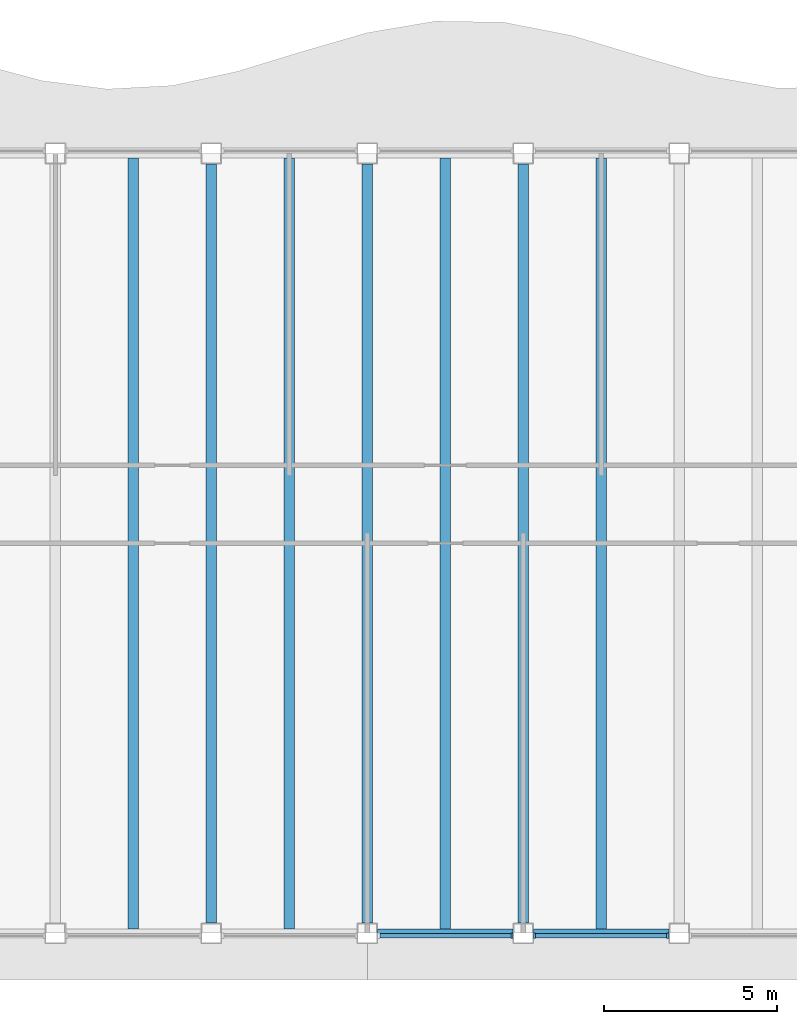
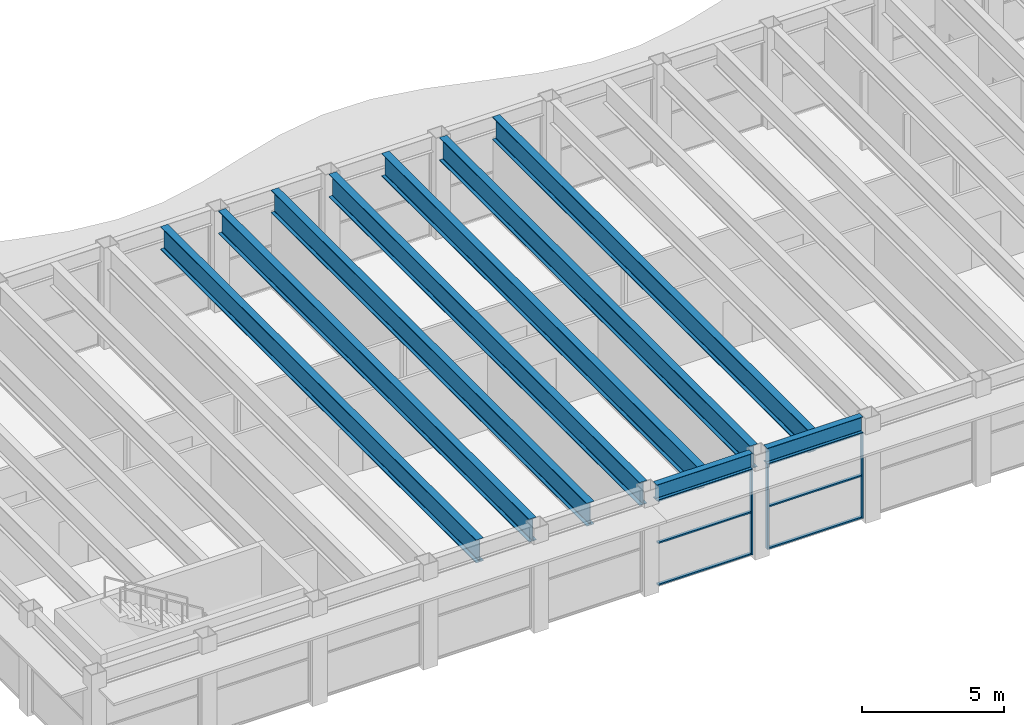
# One storey, part 3 of 15: 9 beams, 9 members, 2 elements without a shape of their own.
"""IFC4 building model written with IfcOpenShell, lengths in metres."""

from ifc_helpers import new_model, si_unit, direction, frame, origin, origin_2d, place, context, subcontext, project, spatial, rectangle, i_section, extrude, material, material_profile, profile_set, type_object, element, aggregate, save


model = new_model("IFC4")

# Units and contexts
model_context = context("Model", 3, precision=1e-05, world=origin(), true_north=direction((0.0, 1.0)))
body_context = subcontext(model_context, "Body", "Model", "MODEL_VIEW")
ifc_project = project(units=[si_unit("LENGTHUNIT", "METRE"), si_unit("AREAUNIT", "SQUARE_METRE"), si_unit("VOLUMEUNIT", "CUBIC_METRE"), si_unit("PLANEANGLEUNIT", "RADIAN"), si_unit("MASSUNIT", "GRAM", prefix="KILO")], contexts=[model_context])

# Site, building, storey
site_placement = place(None, origin())
site = spatial("IfcSite", under=ifc_project, at=site_placement, CompositionType="ELEMENT")
building_placement = place(site_placement, origin())
building = spatial("IfcBuilding", under=site, at=building_placement, Name="Sennacour Bend Tower", CompositionType="ELEMENT")
storey_placement = place(building_placement, frame((0.0, 0.0, 323.0)))
storey = spatial("IfcBuildingStorey", under=building, at=storey_placement, Name="L74", CompositionType="ELEMENT", Elevation=323.0)

# Curtain wall, member
ifc_material_1 = material(Name="Bronze anodised aluminium curtain wall with clear glass", Category="aluminium")
curtain_wall_type = type_object("IfcCurtainWallType", Name="CURTAIN WALL EXEC", PredefinedType="NOTDEFINED", material=ifc_material_1)
curtain_wall_1_placement = place(storey_placement, origin())
curtain_wall_1 = element("IfcCurtainWall", 1, at=curtain_wall_1_placement, inside=storey, type_object=curtain_wall_type, Name="Executive floor glass wall L74", PredefinedType="NOTDEFINED")
ifc_material_2 = material(Name="Aluminium 6063-T6", Category="aluminium")
ifc_material_profile_1 = material_profile(ifc_material_2, rectangle(XDim=0.14990234375, YDim=0.06005859375, at=origin_2d()), Name="Aluminium 6063-T6", Category="aluminium")
ifc_profile_set_1 = profile_set([ifc_material_profile_1], Name="Aluminium 6063-T6")
member_type_1 = type_object("IfcMemberType", Name="CW-MULLION-150X60", PredefinedType="MULLION", material=ifc_profile_set_1)
member_1_placement = place(storey_placement, frame((26.669921875, -0.074951171875, 0.0), z_axis=(0.0, 0.0, 1.0), x_axis=(0.0, 1.0, 0.0)))
member_1 = element("IfcMember", 2, at=member_1_placement, type_object=member_type_1, Name="GW3 curtain wall mullion 2", PredefinedType="MULLION", context=body_context, shape_type="SweptSolid", body=[
    extrude(rectangle(XDim=0.14990234375, YDim=0.06005859375, at=origin_2d()), origin(), (0.0, 0.0, 1.0), 3.672119140625),
])

# Curtain wall, members
curtain_wall_2_placement = place(storey_placement, origin())
curtain_wall_2 = element("IfcCurtainWall", 3, at=curtain_wall_2_placement, inside=storey, type_object=curtain_wall_type, Name="Executive floor glass wall L74", PredefinedType="NOTDEFINED")
member_2_placement = place(storey_placement, frame((27.330078125, -0.074951171875, 0.0), z_axis=(0.0, 0.0, 1.0), x_axis=(0.0, 1.0, 0.0)))
member_2 = element("IfcMember", 4, at=member_2_placement, type_object=member_type_1, Name="GW3 curtain wall mullion 1", PredefinedType="MULLION", context=body_context, shape_type="SweptSolid", body=[
    extrude(rectangle(XDim=0.14990234375, YDim=0.06005859375, at=origin_2d()), origin(), (0.0, 0.0, 1.0), 3.672119140625),
])
member_3_placement = place(storey_placement, frame((31.169921875, -0.074951171875, 0.0), z_axis=(0.0, 0.0, 1.0), x_axis=(0.0, 1.0, 0.0)))
member_3 = element("IfcMember", 5, at=member_3_placement, type_object=member_type_1, Name="GW3 curtain wall mullion 2", PredefinedType="MULLION", context=body_context, shape_type="SweptSolid", body=[
    extrude(rectangle(XDim=0.14990234375, YDim=0.06005859375, at=origin_2d()), origin(), (0.0, 0.0, 1.0), 3.672119140625),
])

# Member
ifc_material_profile_2 = material_profile(ifc_material_2, rectangle(XDim=0.1201171875, YDim=0.06005859375, at=origin_2d()), Name="Aluminium 6063-T6", Category="aluminium")
ifc_profile_set_2 = profile_set([ifc_material_profile_2], Name="Aluminium 6063-T6")
member_type_2 = type_object("IfcMemberType", Name="CW-TRANSOM-120X60", PredefinedType="USERDEFINED", material=ifc_profile_set_2)
member_4_placement = place(storey_placement, frame((22.860107421875, -0.074951171875, 0.030029296875), z_axis=(1.0, 0.0, 0.0), x_axis=(0.0, 1.0, 0.0)))
member_4 = element("IfcMember", 6, at=member_4_placement, type_object=member_type_2, Name="GW3 curtain wall transom 1.1", ObjectType="TRANSOM", PredefinedType="USERDEFINED", context=body_context, shape_type="SweptSolid", body=[
    extrude(rectangle(XDim=0.1201171875, YDim=0.06005859375, at=origin_2d()), origin(), (0.0, 0.0, 1.0), 3.77978515625),
])

member_5_placement = place(storey_placement, frame((22.860107421875, -0.074951171875, 1.8359375), z_axis=(1.0, 0.0, 0.0), x_axis=(0.0, 1.0, 0.0)))
member_5 = element("IfcMember", 7, at=member_5_placement, type_object=member_type_2, Name="GW3 curtain wall transom 1.2", ObjectType="TRANSOM", PredefinedType="USERDEFINED", context=body_context, shape_type="SweptSolid", body=[
    extrude(rectangle(XDim=0.1201171875, YDim=0.06005859375, at=origin_2d()), origin(), (0.0, 0.0, 1.0), 3.77978515625),
])

member_6_placement = place(storey_placement, frame((22.860107421875, -0.074951171875, 3.64208984375), z_axis=(1.0, 0.0, 0.0), x_axis=(0.0, 1.0, 0.0)))
member_6 = element("IfcMember", 8, at=member_6_placement, type_object=member_type_2, Name="GW3 curtain wall transom 1.3", ObjectType="TRANSOM", PredefinedType="USERDEFINED", context=body_context, shape_type="SweptSolid", body=[
    extrude(rectangle(XDim=0.1201171875, YDim=0.06005859375, at=origin_2d()), origin(), (0.0, 0.0, 1.0), 3.77978515625),
])

aggregate(curtain_wall_1, [member_1, member_4, member_5, member_6])

member_7_placement = place(storey_placement, frame((27.360107421875, -0.074951171875, 0.030029296875), z_axis=(1.0, 0.0, 0.0), x_axis=(0.0, 1.0, 0.0)))
member_7 = element("IfcMember", 9, at=member_7_placement, type_object=member_type_2, Name="GW3 curtain wall transom 1.1", ObjectType="TRANSOM", PredefinedType="USERDEFINED", context=body_context, shape_type="SweptSolid", body=[
    extrude(rectangle(XDim=0.1201171875, YDim=0.06005859375, at=origin_2d()), origin(), (0.0, 0.0, 1.0), 3.77978515625),
])

member_8_placement = place(storey_placement, frame((27.360107421875, -0.074951171875, 1.8359375), z_axis=(1.0, 0.0, 0.0), x_axis=(0.0, 1.0, 0.0)))
member_8 = element("IfcMember", 10, at=member_8_placement, type_object=member_type_2, Name="GW3 curtain wall transom 1.2", ObjectType="TRANSOM", PredefinedType="USERDEFINED", context=body_context, shape_type="SweptSolid", body=[
    extrude(rectangle(XDim=0.1201171875, YDim=0.06005859375, at=origin_2d()), origin(), (0.0, 0.0, 1.0), 3.77978515625),
])

member_9_placement = place(storey_placement, frame((27.360107421875, -0.074951171875, 3.64208984375), z_axis=(1.0, 0.0, 0.0), x_axis=(0.0, 1.0, 0.0)))
member_9 = element("IfcMember", 11, at=member_9_placement, type_object=member_type_2, Name="GW3 curtain wall transom 1.3", ObjectType="TRANSOM", PredefinedType="USERDEFINED", context=body_context, shape_type="SweptSolid", body=[
    extrude(rectangle(XDim=0.1201171875, YDim=0.06005859375, at=origin_2d()), origin(), (0.0, 0.0, 1.0), 3.77978515625),
])

aggregate(curtain_wall_2, [member_2, member_3, member_7, member_8, member_9])

# Beams
ifc_material_3 = material(Name="Steel ASTM A992 Grade 50", Category="steel")
ifc_material_profile_3 = material_profile(ifc_material_3, i_section(OverallWidth=0.300048828125, OverallDepth=0.990966796875, WebThickness=0.0166015625, FlangeThickness=0.030517578125, FilletRadius=0.030029296875, at=origin_2d()), Name="Steel ASTM A992 Grade 50", Category="steel")
ifc_profile_set_3 = profile_set([ifc_material_profile_3], Name="Steel ASTM A992 Grade 50")
beam_type_1 = type_object("IfcBeamType", Name="Floor beam W1000X272", PredefinedType="BEAM", material=ifc_profile_set_3)
beam_1_placement = place(storey_placement, frame((15.75, 0.126953125, 3.8544921875), z_axis=(0.0, 1.0, 0.0), x_axis=(-1.0, 0.0, 0.0)))
element("IfcBeam", 12, at=beam_1_placement, inside=storey, type_object=beam_type_1, Name="Floor beam FBM3 L75-007", PredefinedType="BEAM", context=body_context, shape_type="SweptSolid", body=[
    extrude(i_section(OverallWidth=0.300048828125, OverallDepth=0.990966796875, WebThickness=0.0166015625, FlangeThickness=0.030517578125, FilletRadius=0.030029296875, at=origin_2d()), origin(), (0.0, 0.0, 1.0), 22.24609375),
])
beam_2_placement = place(storey_placement, frame((18.0, 0.300048828125, 3.8544921875), z_axis=(0.0, 1.0, 0.0), x_axis=(-1.0, 0.0, 0.0)))
element("IfcBeam", 13, at=beam_2_placement, inside=storey, type_object=beam_type_1, Name="Floor beam FBM3 L75-008", PredefinedType="BEAM", context=body_context, shape_type="SweptSolid", body=[
    extrude(i_section(OverallWidth=0.300048828125, OverallDepth=0.990966796875, WebThickness=0.0166015625, FlangeThickness=0.030517578125, FilletRadius=0.030029296875, at=origin_2d()), origin(), (0.0, 0.0, 1.0), 21.89990234375),
])
beam_3_placement = place(storey_placement, frame((20.25, 0.126953125, 3.8544921875), z_axis=(0.0, 1.0, 0.0), x_axis=(-1.0, 0.0, 0.0)))
element("IfcBeam", 14, at=beam_3_placement, inside=storey, type_object=beam_type_1, Name="Floor beam FBM3 L75-009", PredefinedType="BEAM", context=body_context, shape_type="SweptSolid", body=[
    extrude(i_section(OverallWidth=0.300048828125, OverallDepth=0.990966796875, WebThickness=0.0166015625, FlangeThickness=0.030517578125, FilletRadius=0.030029296875, at=origin_2d()), origin(), (0.0, 0.0, 1.0), 22.24609375),
])
beam_4_placement = place(storey_placement, frame((22.5, 0.300048828125, 3.8544921875), z_axis=(0.0, 1.0, 0.0), x_axis=(-1.0, 0.0, 0.0)))
element("IfcBeam", 15, at=beam_4_placement, inside=storey, type_object=beam_type_1, Name="Floor beam FBM3 L75-010", PredefinedType="BEAM", context=body_context, shape_type="SweptSolid", body=[
    extrude(i_section(OverallWidth=0.300048828125, OverallDepth=0.990966796875, WebThickness=0.0166015625, FlangeThickness=0.030517578125, FilletRadius=0.030029296875, at=origin_2d()), origin(), (0.0, 0.0, 1.0), 21.89990234375),
])
beam_5_placement = place(storey_placement, frame((24.75, 0.126953125, 3.8544921875), z_axis=(0.0, 1.0, 0.0), x_axis=(-1.0, 0.0, 0.0)))
element("IfcBeam", 16, at=beam_5_placement, inside=storey, type_object=beam_type_1, Name="Floor beam FBM3 L75-011", PredefinedType="BEAM", context=body_context, shape_type="SweptSolid", body=[
    extrude(i_section(OverallWidth=0.300048828125, OverallDepth=0.990966796875, WebThickness=0.0166015625, FlangeThickness=0.030517578125, FilletRadius=0.030029296875, at=origin_2d()), origin(), (0.0, 0.0, 1.0), 22.24609375),
])
beam_6_placement = place(storey_placement, frame((27.0, 0.300048828125, 3.8544921875), z_axis=(0.0, 1.0, 0.0), x_axis=(-1.0, 0.0, 0.0)))
element("IfcBeam", 17, at=beam_6_placement, inside=storey, type_object=beam_type_1, Name="Floor beam FBM3 L75-012", PredefinedType="BEAM", context=body_context, shape_type="SweptSolid", body=[
    extrude(i_section(OverallWidth=0.300048828125, OverallDepth=0.990966796875, WebThickness=0.0166015625, FlangeThickness=0.030517578125, FilletRadius=0.030029296875, at=origin_2d()), origin(), (0.0, 0.0, 1.0), 21.89990234375),
])
beam_7_placement = place(storey_placement, frame((29.25, 0.126953125, 3.8544921875), z_axis=(0.0, 1.0, 0.0), x_axis=(-1.0, 0.0, 0.0)))
element("IfcBeam", 18, at=beam_7_placement, inside=storey, type_object=beam_type_1, Name="Floor beam FBM3 L75-013", PredefinedType="BEAM", context=body_context, shape_type="SweptSolid", body=[
    extrude(i_section(OverallWidth=0.300048828125, OverallDepth=0.990966796875, WebThickness=0.0166015625, FlangeThickness=0.030517578125, FilletRadius=0.030029296875, at=origin_2d()), origin(), (0.0, 0.0, 1.0), 22.24609375),
])
ifc_material_profile_4 = material_profile(ifc_material_3, i_section(OverallWidth=0.25390625, OverallDepth=0.677978515625, WebThickness=0.01171875, FlangeThickness=0.016357421875, FilletRadius=0.01513671875, at=origin_2d()), Name="Steel ASTM A992 Grade 50", Category="steel")
ifc_profile_set_4 = profile_set([ifc_material_profile_4], Name="Steel ASTM A992 Grade 50")
beam_type_2 = type_object("IfcBeamType", Name="Spandrel beam W690X125", PredefinedType="SPANDREL", material=ifc_profile_set_4)
for number, where, z_axis, x_axis, name in (
    (19, (31.199951171875, 0.0, 4.010986328125), (-1.0, 0.0, 0.0), (0.0, -1.0, 0.0), "Spandrel beam SP7 L75-023"),
    (20, (26.699951171875, 0.0, 4.010986328125), (-1.0, 0.0, 0.0), (0.0, -1.0, 0.0), "Spandrel beam SP7 L75-024"),
):
    element("IfcBeam", number, at=place(storey_placement, frame(where, z_axis=z_axis, x_axis=x_axis)), inside=storey, type_object=beam_type_2, Name=name, PredefinedType="SPANDREL", context=body_context, shape_type="SweptSolid", body=[
        extrude(i_section(OverallWidth=0.25390625, OverallDepth=0.677978515625, WebThickness=0.01171875, FlangeThickness=0.016357421875, FilletRadius=0.01513671875, at=origin_2d()), origin(), (0.0, 0.0, 1.0), 3.89990234375),
    ])

save(model, "model.ifc")
